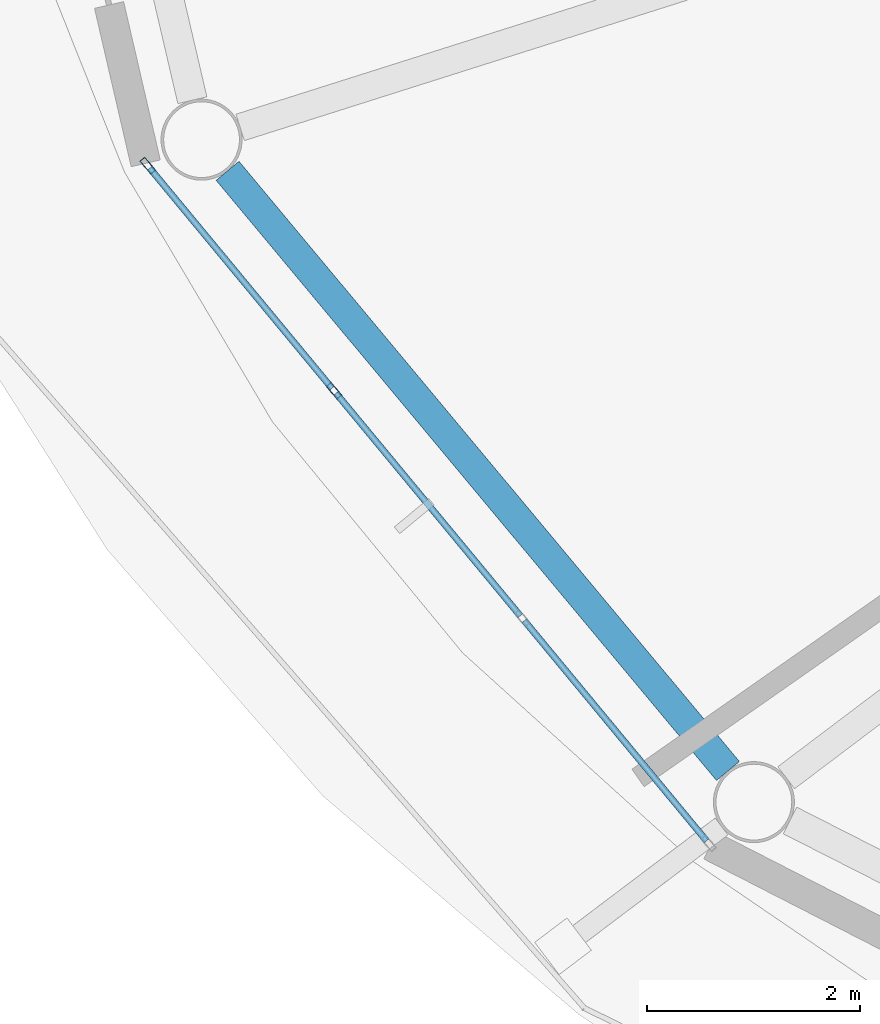
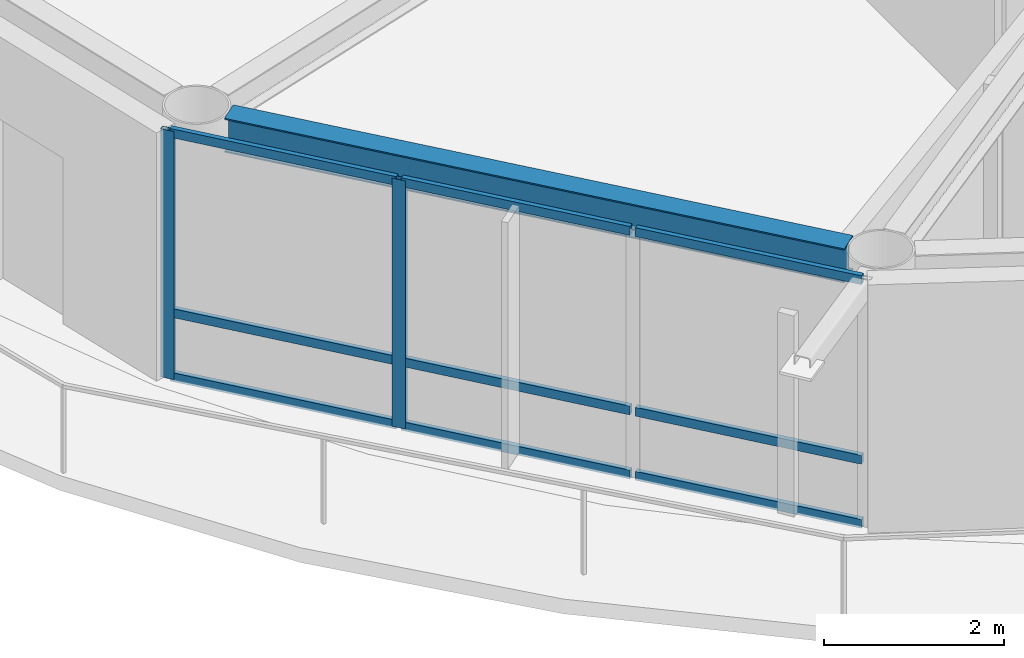
# One storey, part 3 of 23: 11 members, 1 beam, 1 element without a shape of its own.
"""IFC4 building model written with IfcOpenShell, lengths in metres."""

from ifc_helpers import new_model, si_unit, direction, frame, origin, origin_2d, place, context, subcontext, project, spatial, hollow_rectangle, i_section, extrude, material, layer, layer_set, material_profile, profile_set, type_object, element, aggregate, save


model = new_model("IFC4")

# Units and contexts
model_context = context("Model", 3, precision=1e-05, world=origin(), true_north=direction((0.0, 1.0)))
body_context = subcontext(model_context, "Body", "Model", "MODEL_VIEW")
ifc_project = project(units=[si_unit("LENGTHUNIT", "METRE"), si_unit("AREAUNIT", "SQUARE_METRE"), si_unit("VOLUMEUNIT", "CUBIC_METRE"), si_unit("PLANEANGLEUNIT", "RADIAN"), si_unit("MASSUNIT", "GRAM", prefix="KILO")], contexts=[model_context])

# Site, building, storey
site_placement = place(None, origin())
site = spatial("IfcSite", under=ifc_project, at=site_placement, CompositionType="ELEMENT")
building_placement = place(site_placement, origin())
building = spatial("IfcBuilding", under=site, at=building_placement, Name="Sarneth Arch Tower", CompositionType="ELEMENT")
storey_placement = place(building_placement, frame((0.0, 0.0, 280.199951171875)))
storey = spatial("IfcBuildingStorey", under=building, at=storey_placement, Name="L72", CompositionType="ELEMENT", Elevation=280.199951171875)

# Beam
ifc_material_1 = material(Name="Steel S355", Category="steel")
ifc_material_profile_1 = material_profile(ifc_material_1, i_section(OverallWidth=0.280029296875, OverallDepth=0.462890625, WebThickness=0.0107421875, FlangeThickness=0.017333984375, FilletRadius=0.01806640625, at=origin_2d()), Name="W460x113")
ifc_profile_set_1 = profile_set([ifc_material_profile_1], Name="Steel S355")
beam_type = type_object("IfcBeamType", Name="BM-RAD-460A", PredefinedType="BEAM", material=ifc_profile_set_1)
beam_placement = place(storey_placement, frame((25.0751953125, 34.35986328125, 3.138427734375), z_axis=(0.640377192996, -0.768060577487, 0.0), x_axis=(0.768060577487, 0.640377192996, 0.0)))
element("IfcBeam", 1, at=beam_placement, inside=storey, type_object=beam_type, Name="L72 Perimeter spandrel beam 10", PredefinedType="BEAM", context=body_context, shape_type="SweptSolid", body=[
    extrude(i_section(OverallWidth=0.280029296875, OverallDepth=0.462890625, WebThickness=0.0107421875, FlangeThickness=0.017333984375, FilletRadius=0.01806640625, at=origin_2d()), origin(), (0.0, 0.0, 1.0), 7.34814453125),
])

# Curtain wall, members
ifc_material_2 = material(Name="Anodised aluminium Type AA25 and solar-control low-e laminated IGU", Category="aluminium")
ifc_layer = layer(ifc_material_2, 0.179931640625)
ifc_layer_set = layer_set([ifc_layer], Name="Anodised aluminium Type AA25 and solar-control low-e laminated IGU")
curtain_wall_type = type_object("IfcCurtainWallType", Name="CW-RES-HIGH", PredefinedType="NOTDEFINED", material=ifc_layer_set)
curtain_wall_placement = place(storey_placement, origin())
curtain_wall = element("IfcCurtainWall", 2, at=curtain_wall_placement, inside=storey, type_object=curtain_wall_type, Name="L72 Unitised curtain wall facet 10", PredefinedType="NOTDEFINED")
ifc_material_3 = material(Name="Anodised Aluminium 6063-T6", Category="aluminium")
ifc_material_profile_2 = material_profile(ifc_material_3, hollow_rectangle(XDim=0.06005859375, YDim=0.159912109375, WallThickness=0.00390625, at=origin_2d()), Name="AL-MULL-160x60x4")
ifc_profile_set_2 = profile_set([ifc_material_profile_2], Name="Anodised Aluminium 6063-T6")
member_type_1 = type_object("IfcMemberType", Name="CW-MULLION", PredefinedType="MULLION", material=ifc_profile_set_2)
member_1_placement = place(storey_placement, frame((24.325439453125, 34.407470703125, 0.0), z_axis=(0.0, 0.0, 1.0), x_axis=(0.770359245933, 0.637610094184, 0.0)))
member_1 = element("IfcMember", 3, at=member_1_placement, type_object=member_type_1, Name="CW-SYS-6 mullion 1", PredefinedType="MULLION", context=body_context, shape_type="SweptSolid", body=[
    extrude(hollow_rectangle(XDim=0.06005859375, YDim=0.159912109375, WallThickness=0.00390625, at=origin_2d()), origin(), (0.0, 0.0, 1.0), 3.3701171875),
])
member_2_placement = place(storey_placement, frame((26.07666015625, 32.29150390625, 0.0), z_axis=(0.0, 0.0, 1.0), x_axis=(0.770359245933, 0.637610094184, 0.0)))
member_2 = element("IfcMember", 4, at=member_2_placement, type_object=member_type_1, Name="CW-SYS-6 mullion 2", PredefinedType="MULLION", context=body_context, shape_type="SweptSolid", body=[
    extrude(hollow_rectangle(XDim=0.06005859375, YDim=0.159912109375, WallThickness=0.00390625, at=origin_2d()), origin(), (0.0, 0.0, 1.0), 3.3701171875),
])
ifc_material_4 = material(Name="Anodised Aluminium 6063-T6", Category="aluminium")
ifc_material_profile_3 = material_profile(ifc_material_4, hollow_rectangle(XDim=0.06005859375, YDim=0.1201171875, WallThickness=0.00390625, at=origin_2d()), Name="AL-TRAN-120x60x4")
ifc_profile_set_3 = profile_set([ifc_material_profile_3], Name="Anodised Aluminium 6063-T6")
member_type_2 = type_object("IfcMemberType", Name="CW-TRANSOM", PredefinedType="USERDEFINED", material=ifc_profile_set_3)
member_3_placement = place(storey_placement, frame((24.344482421875, 34.38427734375, 0.030029296875), z_axis=(0.637651400067, -0.770325056059, 0.0), x_axis=(0.770325056059, 0.637651400067, 0.0)))
member_3 = element("IfcMember", 5, at=member_3_placement, type_object=member_type_2, Name="CW-SYS-6 transom 1.1", ObjectType="TRANSOM", PredefinedType="USERDEFINED", context=body_context, shape_type="SweptSolid", body=[
    extrude(hollow_rectangle(XDim=0.06005859375, YDim=0.1201171875, WallThickness=0.00390625, at=origin_2d()), origin(), (0.0, 0.0, 1.0), 2.6865234375),
])
member_4_placement = place(storey_placement, frame((24.344482421875, 34.38427734375, 0.900146484375), z_axis=(0.637651400067, -0.770325056059, 0.0), x_axis=(0.770325056059, 0.637651400067, 0.0)))
member_4 = element("IfcMember", 6, at=member_4_placement, type_object=member_type_2, Name="CW-SYS-6 transom 1.2", ObjectType="TRANSOM", PredefinedType="USERDEFINED", context=body_context, shape_type="SweptSolid", body=[
    extrude(hollow_rectangle(XDim=0.06005859375, YDim=0.1201171875, WallThickness=0.00390625, at=origin_2d()), origin(), (0.0, 0.0, 1.0), 2.6865234375),
])
member_5_placement = place(storey_placement, frame((24.344482421875, 34.38427734375, 3.340087890625), z_axis=(0.637651400067, -0.770325056059, 0.0), x_axis=(0.770325056059, 0.637651400067, 0.0)))
member_5 = element("IfcMember", 7, at=member_5_placement, type_object=member_type_2, Name="CW-SYS-6 transom 1.3", ObjectType="TRANSOM", PredefinedType="USERDEFINED", context=body_context, shape_type="SweptSolid", body=[
    extrude(hollow_rectangle(XDim=0.06005859375, YDim=0.1201171875, WallThickness=0.00390625, at=origin_2d()), origin(), (0.0, 0.0, 1.0), 2.6865234375),
])
member_6_placement = place(storey_placement, frame((26.095703125, 32.268310546875, 0.030029296875), z_axis=(0.637617371902, -0.770353222261, 0.0), x_axis=(0.770353222261, 0.637617371902, 0.0)))
member_6 = element("IfcMember", 8, at=member_6_placement, type_object=member_type_2, Name="CW-SYS-6 transom 2.1", ObjectType="TRANSOM", PredefinedType="USERDEFINED", context=body_context, shape_type="SweptSolid", body=[
    extrude(hollow_rectangle(XDim=0.06005859375, YDim=0.1201171875, WallThickness=0.00390625, at=origin_2d()), origin(), (0.0, 0.0, 1.0), 2.716552734375),
])
member_7_placement = place(storey_placement, frame((26.095703125, 32.268310546875, 0.900146484375), z_axis=(0.637617371902, -0.770353222261, 0.0), x_axis=(0.770353222261, 0.637617371902, 0.0)))
member_7 = element("IfcMember", 9, at=member_7_placement, type_object=member_type_2, Name="CW-SYS-6 transom 2.2", ObjectType="TRANSOM", PredefinedType="USERDEFINED", context=body_context, shape_type="SweptSolid", body=[
    extrude(hollow_rectangle(XDim=0.06005859375, YDim=0.1201171875, WallThickness=0.00390625, at=origin_2d()), origin(), (0.0, 0.0, 1.0), 2.716552734375),
])
member_8_placement = place(storey_placement, frame((26.095703125, 32.268310546875, 3.340087890625), z_axis=(0.637617371902, -0.770353222261, 0.0), x_axis=(0.770353222261, 0.637617371902, 0.0)))
member_8 = element("IfcMember", 10, at=member_8_placement, type_object=member_type_2, Name="CW-SYS-6 transom 2.3", ObjectType="TRANSOM", PredefinedType="USERDEFINED", context=body_context, shape_type="SweptSolid", body=[
    extrude(hollow_rectangle(XDim=0.06005859375, YDim=0.1201171875, WallThickness=0.00390625, at=origin_2d()), origin(), (0.0, 0.0, 1.0), 2.716552734375),
])
member_9_placement = place(storey_placement, frame((27.8662109375, 30.12939453125, 0.030029296875), z_axis=(0.637606765719, -0.770362000821, 0.0), x_axis=(0.770362000821, 0.637606765719, 0.0)))
member_9 = element("IfcMember", 11, at=member_9_placement, type_object=member_type_2, Name="CW-SYS-6 transom 3.1", ObjectType="TRANSOM", PredefinedType="USERDEFINED", context=body_context, shape_type="SweptSolid", body=[
    extrude(hollow_rectangle(XDim=0.06005859375, YDim=0.1201171875, WallThickness=0.00390625, at=origin_2d()), origin(), (0.0, 0.0, 1.0), 2.686767578125),
])
member_10_placement = place(storey_placement, frame((27.8662109375, 30.12939453125, 0.900146484375), z_axis=(0.637606765719, -0.770362000821, 0.0), x_axis=(0.770362000821, 0.637606765719, 0.0)))
member_10 = element("IfcMember", 12, at=member_10_placement, type_object=member_type_2, Name="CW-SYS-6 transom 3.2", ObjectType="TRANSOM", PredefinedType="USERDEFINED", context=body_context, shape_type="SweptSolid", body=[
    extrude(hollow_rectangle(XDim=0.06005859375, YDim=0.1201171875, WallThickness=0.00390625, at=origin_2d()), origin(), (0.0, 0.0, 1.0), 2.686767578125),
])
member_11_placement = place(storey_placement, frame((27.8662109375, 30.12939453125, 3.340087890625), z_axis=(0.637606765719, -0.770362000821, 0.0), x_axis=(0.770362000821, 0.637606765719, 0.0)))
member_11 = element("IfcMember", 13, at=member_11_placement, type_object=member_type_2, Name="CW-SYS-6 transom 3.3", ObjectType="TRANSOM", PredefinedType="USERDEFINED", context=body_context, shape_type="SweptSolid", body=[
    extrude(hollow_rectangle(XDim=0.06005859375, YDim=0.1201171875, WallThickness=0.00390625, at=origin_2d()), origin(), (0.0, 0.0, 1.0), 2.686767578125),
])
aggregate(curtain_wall, [member_1, member_2, member_3, member_4, member_5, member_6, member_7, member_8, member_9, member_10, member_11])

save(model, "model.ifc")
